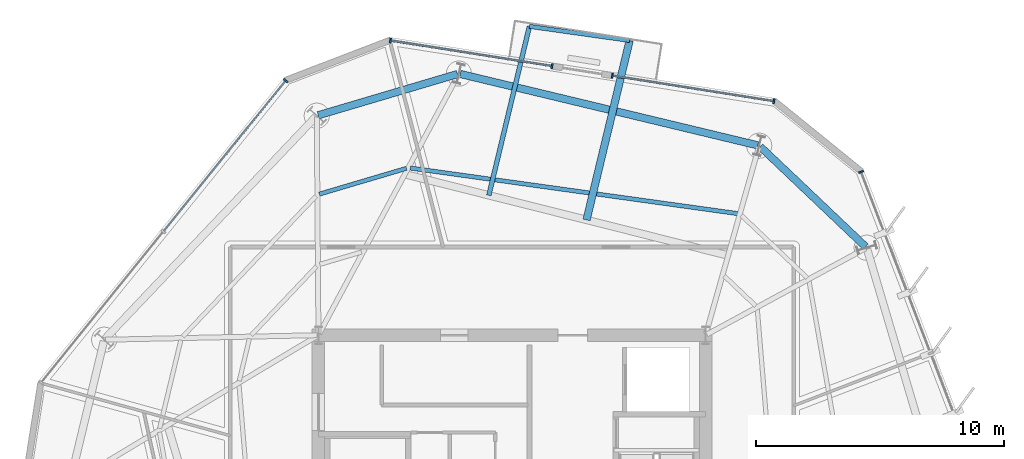
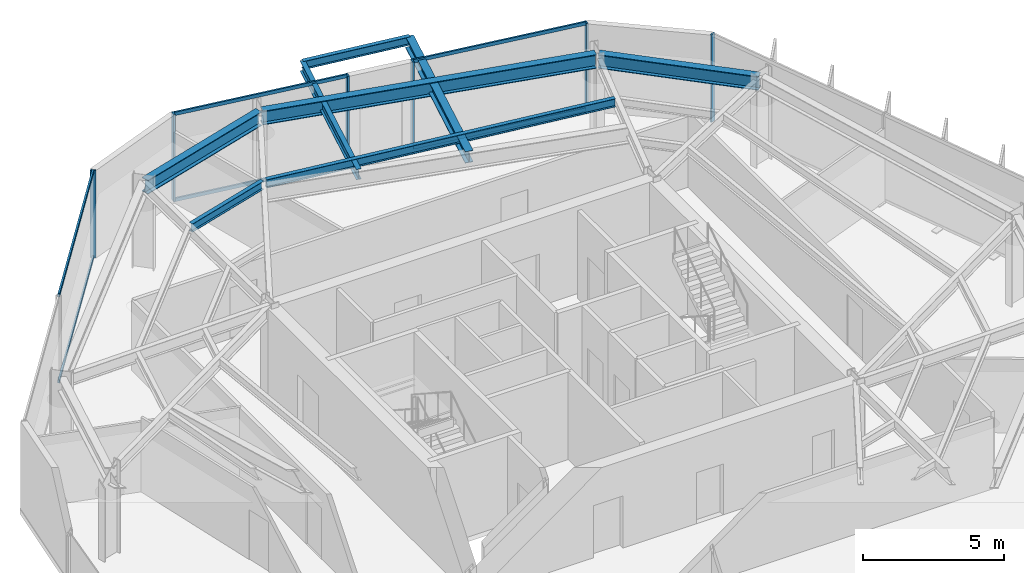
# One storey, part 5 of 11: 12 members, 8 beams, 4 elements without a shape of their own.
"""IFC4 building model written with IfcOpenShell, lengths in metres."""

import ifcopenshell
import ifcopenshell.guid

model = None  # the IFC model being written
_history = None  # IfcOwnerHistory: only IFC2X3 demands one
_inside = {}  # id of a spatial element -> (the spatial element, [elements in it])
_under = {}  # id of a project, library or spatial element -> (it, [spatial elements below it])
_declared = {}  # id of a project -> (the project, [libraries it declares])
_typed = {}  # id of a type object -> (the type object, [elements of that type])
_made_of = {}  # id of a material, layer set ... -> (it, [elements and type objects made of it])


def new_model(schema):
    """Start an empty IFC model of exactly this schema.

    Asked for "IFC4X3", IfcOpenShell would pick the latest addendum, in which some entities
    have other attributes; the version numbers below select the first issue.
    IFC2X3 requires an IfcOwnerHistory on every rooted entity: one is made here for all.
    """
    global model, _history
    if schema == "IFC4X3":
        model = ifcopenshell.file(schema_version=(4, 3, 0, 0))
    else:
        model = ifcopenshell.file(schema=schema)
    _inside.clear()
    _under.clear()
    _declared.clear()
    _typed.clear()
    _made_of.clear()
    _history = None
    if model.schema == "IFC2X3":
        org = make("IfcOrganization", Name="unknown")
        user = make(
            "IfcPersonAndOrganization",
            ThePerson=make("IfcPerson", FamilyName="unknown"),
            TheOrganization=org,
        )
        app = make(
            "IfcApplication",
            ApplicationDeveloper=org,
            Version="unknown",
            ApplicationFullName="unknown",
            ApplicationIdentifier="unknown",
        )
        _history = make(
            "IfcOwnerHistory",
            OwningUser=user,
            OwningApplication=app,
            ChangeAction="ADDED",
            CreationDate=0,
        )
    return model


def make(cls, **values):
    """One entity of the class cls with the attributes given. An attribute that is None is left unset."""
    return model.create_entity(
        cls, **{name: value for name, value in values.items() if value is not None}
    )


def rooted(cls, **values):
    """An entity with a GlobalId (a new one), such as an element, a storey or a relation."""
    return make(cls, GlobalId=ifcopenshell.guid.new(), OwnerHistory=_history, **values)


def si_unit(unit_type, name, prefix=None):
    """IfcSIUnit, for example si_unit("LENGTHUNIT", "METRE", prefix="MILLI")."""
    return make("IfcSIUnit", UnitType=unit_type, Prefix=prefix, Name=name)


def assignment(units):
    """IfcUnitAssignment: the units of a project."""
    return None if units is None else make("IfcUnitAssignment", Units=units)


def point(xyz):
    """IfcCartesianPoint."""
    return None if xyz is None else make("IfcCartesianPoint", Coordinates=xyz)


def direction(xyz):
    """IfcDirection."""
    return None if xyz is None else make("IfcDirection", DirectionRatios=xyz)


def frame(location, z_axis=None, x_axis=None):
    """IfcAxis2Placement3D, a coordinate frame: its origin and axes. An axis left out is left unset."""
    return make(
        "IfcAxis2Placement3D",
        Location=point(location),
        Axis=direction(z_axis),
        RefDirection=direction(x_axis),
    )


def frame_2d(location, x_axis=None):
    """IfcAxis2Placement2D, a coordinate frame in the plane: its origin and x axis."""
    return make(
        "IfcAxis2Placement2D", Location=point(location), RefDirection=direction(x_axis)
    )


def origin():
    """The frame at (0, 0, 0) with its axes left unset."""
    return frame((0.0, 0.0, 0.0))


def origin_2d():
    """The frame at (0, 0) in the plane with its x axis left unset."""
    return frame_2d((0.0, 0.0))


def place(relative_to, where):
    """IfcLocalPlacement: puts the frame where relative to a parent placement (None: the world)."""
    return make(
        "IfcLocalPlacement", PlacementRelTo=relative_to, RelativePlacement=where
    )


def context(
    kind, dimensions, precision=None, world=None, true_north=None, identifier=None
):
    """IfcGeometricRepresentationContext, for example the 3D "Model" context."""
    return make(
        "IfcGeometricRepresentationContext",
        ContextIdentifier=identifier,
        ContextType=kind,
        CoordinateSpaceDimension=dimensions,
        Precision=precision,
        WorldCoordinateSystem=world,
        TrueNorth=true_north,
    )


def subcontext(parent, identifier, kind, view, scale=None):
    """IfcGeometricRepresentationSubContext, for example "Body" below "Model"."""
    return make(
        "IfcGeometricRepresentationSubContext",
        ContextIdentifier=identifier,
        ContextType=kind,
        ParentContext=parent,
        TargetScale=scale,
        TargetView=view,
    )


def project(units=None, contexts=None):
    """IfcProject with its units and contexts."""
    return rooted(
        "IfcProject",
        Name="project",
        RepresentationContexts=contexts,
        UnitsInContext=assignment(units),
    )


def spatial(cls, under=None, at=None, **own):
    """A site, building, storey or space (cls), placed at a placement, below another one or the project."""
    s = rooted(cls, ObjectPlacement=at, **own)
    if under is not None:
        _under.setdefault(under.id(), (under, []))[1].append(s)
    return s


def profile(cls, at=None, kind="AREA", **sizes):
    """A parametric profile (cls). Its sizes go by their IFC names, for example OverallWidth=200.0."""
    return make(cls, ProfileType=kind, Position=at, **sizes)


def rectangle(**sizes):
    """IfcRectangleProfileDef."""
    return profile("IfcRectangleProfileDef", **sizes)


def i_section(**sizes):
    """IfcIShapeProfileDef."""
    return profile("IfcIShapeProfileDef", **sizes)


def extrude(swept, where, along, depth):
    """IfcExtrudedAreaSolid: the profile swept, set in the frame where, extruded along a direction by depth."""
    return make(
        "IfcExtrudedAreaSolid",
        SweptArea=swept,
        Position=where,
        ExtrudedDirection=direction(along),
        Depth=depth,
    )


def shape(context_of_items, identifier, shape_type, items):
    """IfcShapeRepresentation: the items that make up one representation, for example the "Body"."""
    return make(
        "IfcShapeRepresentation",
        ContextOfItems=context_of_items,
        RepresentationIdentifier=identifier,
        RepresentationType=shape_type,
        Items=items,
    )


def material(Name=None, Category=None):
    """IfcMaterial."""
    return make("IfcMaterial", Name=Name, Category=Category)


def layer(
    of_material, thickness, ventilated=None, Name=None, Category=None, Priority=None
):
    """IfcMaterialLayer: one layer of a wall or slab, of a material (None: an air gap)."""
    return make(
        "IfcMaterialLayer",
        Material=of_material,
        LayerThickness=thickness,
        IsVentilated=ventilated,
        Name=Name,
        Category=Category,
        Priority=Priority,
    )


def layer_set(layers, Name=None):
    """IfcMaterialLayerSet."""
    return make("IfcMaterialLayerSet", MaterialLayers=layers, LayerSetName=Name)


def material_profile(
    of_material, cross_section, Name=None, Category=None, Priority=None
):
    """IfcMaterialProfile: a cross section and its material."""
    return make(
        "IfcMaterialProfile",
        Name=Name,
        Material=of_material,
        Profile=cross_section,
        Priority=Priority,
        Category=Category,
    )


def profile_set(profiles, Name=None, composite=None):
    """IfcMaterialProfileSet."""
    return make(
        "IfcMaterialProfileSet",
        Name=Name,
        MaterialProfiles=profiles,
        CompositeProfile=composite,
    )


def made_of(thing, what):
    """Note that an element or type object is made of a material, layer set ...; save() writes the relation."""
    if what is not None:
        _made_of.setdefault(what.id(), (what, []))[1].append(thing)
    return thing


def type_object(cls, material=None, **own):
    """A type object (cls), such as IfcWallType, which elements share."""
    return made_of(rooted(cls, **own), material)


def element(
    cls,
    number,
    at=None,
    inside=None,
    cuts=None,
    type_object=None,
    material=None,
    context=None,
    identifier="Body",
    shape_type=None,
    held_by="IfcProductDefinitionShape",
    body=None,
    shapes=None,
    **own,
):
    """One element of the class cls, such as IfcWall. Its Tag is "e" and its number.

    at: its placement. inside: the storey or other place that contains it. cuts: it is an
    opening in that element (IfcRelVoidsElement). A single representation is given by context,
    identifier, shape_type and body (its items); several are given by shapes. held_by: the class
    of the entity that holds the representations. save() writes the other relations.
    """
    e = rooted(cls, Tag="e%d" % number, ObjectPlacement=at, **own)
    if body is not None:
        shapes = [shape(context, identifier, shape_type, body)]
    if shapes is not None:
        e.Representation = make(held_by, Representations=shapes)
    if inside is not None:
        _inside.setdefault(inside.id(), (inside, []))[1].append(e)
    if cuts is not None:
        rooted(
            "IfcRelVoidsElement", RelatingBuildingElement=cuts, RelatedOpeningElement=e
        )
    if type_object is not None:
        _typed.setdefault(type_object.id(), (type_object, []))[1].append(e)
    return made_of(e, material)


def aggregate(whole, parts):
    """IfcRelAggregates: a whole, such as a stair, and the parts it consists of."""
    return rooted("IfcRelAggregates", RelatingObject=whole, RelatedObjects=parts)


def save(model, path):
    """Write the relations noted so far, then the file.

    IfcRelAggregates (storeys below a building ...), IfcRelContainedInSpatialStructure (elements
    in a storey), IfcRelDefinesByType, IfcRelAssociatesMaterial and IfcRelDeclares: one each for
    every whole, place, type object, material and project.
    """
    for whole, parts in _under.values():
        aggregate(whole, parts)
    for where, things in _inside.values():
        rooted(
            "IfcRelContainedInSpatialStructure",
            RelatedElements=things,
            RelatingStructure=where,
        )
    for kind, things in _typed.values():
        rooted("IfcRelDefinesByType", RelatedObjects=things, RelatingType=kind)
    for what, things in _made_of.values():
        rooted("IfcRelAssociatesMaterial", RelatedObjects=things, RelatingMaterial=what)
    for by, libraries in _declared.values():
        rooted("IfcRelDeclares", RelatingContext=by, RelatedDefinitions=libraries)
    model.write(path)


model = new_model("IFC4")

# Units and contexts
model_context = context("Model", 3, precision=1e-05, world=origin(), true_north=direction((0.0, 1.0)))
body_context = subcontext(model_context, "Body", "Model", "MODEL_VIEW")
ifc_project = project(units=[si_unit("LENGTHUNIT", "METRE"), si_unit("AREAUNIT", "SQUARE_METRE"), si_unit("VOLUMEUNIT", "CUBIC_METRE"), si_unit("PLANEANGLEUNIT", "RADIAN"), si_unit("MASSUNIT", "GRAM", prefix="KILO")], contexts=[model_context])

# Site, building, storey
site_placement = place(None, origin())
site = spatial("IfcSite", under=ifc_project, at=site_placement, CompositionType="ELEMENT")
building_placement = place(site_placement, origin())
building = spatial("IfcBuilding", under=site, at=building_placement, Name="Kranzbogen Civic Tower", CompositionType="ELEMENT")
storey_placement = place(building_placement, frame((0.0, 0.0, 228.800048828125)))
storey = spatial("IfcBuildingStorey", under=building, at=storey_placement, Name="L55", CompositionType="ELEMENT", Elevation=228.800048828125)

# Beam
ifc_material_1 = material(Name="Steel S355", Category="steel")
ifc_material_profile_1 = material_profile(ifc_material_1, i_section(OverallWidth=0.18994140625, OverallDepth=0.449951171875, WebThickness=0.009521484375, FlangeThickness=0.0146484375, at=origin_2d()), Name="IPE 450")
ifc_profile_set_1 = profile_set([ifc_material_profile_1], Name="Steel S355")
beam_type_1 = type_object("IfcBeamType", Name="Braced Terrace Edge Beam IPE 450", PredefinedType="BEAM", material=ifc_profile_set_1)
beam_1_placement = place(storey_placement, frame((24.06689453125, 37.8359375, 3.52490234375), z_axis=(0.233416479687, 0.972376854419, 0.0), x_axis=(-0.972376854419, 0.233416479687, 0.0)))
element("IfcBeam", 1, at=beam_1_placement, inside=storey, type_object=beam_type_1, Name="L56 back-spanned terrace beam L56-TB1-2", PredefinedType="BEAM", context=body_context, shape_type="SweptSolid", body=[
    extrude(i_section(OverallWidth=0.18994140625, OverallDepth=0.449951171875, WebThickness=0.009521484375, FlangeThickness=0.0146484375, at=origin_2d()), origin(), (0.0, 0.0, 1.0), 7.00048828125),
])

# Curtain wall, members
ifc_material_2 = material(Name="Pale Anodised Aluminium", Category="aluminium")
ifc_layer = layer(ifc_material_2, 0.219970703125, Name="Pale Anodised Aluminium")
ifc_layer_set = layer_set([ifc_layer], Name="Pale Anodised Aluminium")
curtain_wall_type = type_object("IfcCurtainWallType", Name="Zone 3 Stick Curtain Wall System CW-04", PredefinedType="USERDEFINED", material=ifc_layer_set)
curtain_wall_1_placement = place(storey_placement, origin())
curtain_wall_1 = element("IfcCurtainWall", 2, at=curtain_wall_1_placement, inside=storey, type_object=curtain_wall_type, Name="L55 curtain wall CW-L55-F1-S1", ObjectType="STICK CURTAIN WALL", PredefinedType="USERDEFINED")
ifc_material_profile_2 = material_profile(ifc_material_2, rectangle(XDim=0.070068359375, YDim=0.199951171875, at=origin_2d()), Name="ALU-M 70x200")
ifc_profile_set_2 = profile_set([ifc_material_profile_2], Name="Pale Anodised Aluminium")
member_type_1 = type_object("IfcMemberType", Name="Curtain Wall Mullion ALU-M 70x200", PredefinedType="MULLION", material=ifc_profile_set_2)
member_1_placement = place(storey_placement, frame((35.554443359375, 41.625732421875, 0.0), z_axis=(0.0, 0.0, 1.0), x_axis=(-0.987709289801, 0.156302139592, 0.0)))
member_1 = element("IfcMember", 3, at=member_1_placement, type_object=member_type_1, Name="CW-04 mullion 1", PredefinedType="MULLION", context=body_context, shape_type="SweptSolid", body=[
    extrude(rectangle(XDim=0.070068359375, YDim=0.199951171875, at=origin_2d()), origin(), (0.0, 0.0, 1.0), 3.780029296875),
])
member_2_placement = place(storey_placement, frame((29.041748046875, 42.65625, 0.0), z_axis=(0.0, 0.0, 1.0), x_axis=(-0.987709289801, 0.156302139592, 0.0)))
member_2 = element("IfcMember", 4, at=member_2_placement, type_object=member_type_1, Name="CW-04 mullion 2", PredefinedType="MULLION", context=body_context, shape_type="SweptSolid", body=[
    extrude(rectangle(XDim=0.070068359375, YDim=0.199951171875, at=origin_2d()), origin(), (0.0, 0.0, 1.0), 3.780029296875),
])

curtain_wall_2_placement = place(storey_placement, origin())
curtain_wall_2 = element("IfcCurtainWall", 5, at=curtain_wall_2_placement, inside=storey, type_object=curtain_wall_type, Name="L55 curtain wall CW-L55-F1-S2", ObjectType="STICK CURTAIN WALL", PredefinedType="USERDEFINED")
member_3_placement = place(storey_placement, frame((26.6123046875, 43.041748046875, 0.0), z_axis=(0.0, 0.0, 1.0), x_axis=(-0.987709289801, 0.156302139592, 0.0)))
member_3 = element("IfcMember", 6, at=member_3_placement, type_object=member_type_1, Name="CW-04 mullion 1", PredefinedType="MULLION", context=body_context, shape_type="SweptSolid", body=[
    extrude(rectangle(XDim=0.070068359375, YDim=0.199951171875, at=origin_2d()), origin(), (0.0, 0.0, 1.0), 3.780029296875),
])
member_4_placement = place(storey_placement, frame((20.099609375, 44.072265625, 0.0), z_axis=(0.0, 0.0, 1.0), x_axis=(-0.987709289801, 0.156302139592, 0.0)))
member_4 = element("IfcMember", 7, at=member_4_placement, type_object=member_type_1, Name="CW-04 mullion 2", PredefinedType="MULLION", context=body_context, shape_type="SweptSolid", body=[
    extrude(rectangle(XDim=0.070068359375, YDim=0.199951171875, at=origin_2d()), origin(), (0.0, 0.0, 1.0), 3.780029296875),
])

# Curtain wall, member
curtain_wall_3_placement = place(storey_placement, origin())
curtain_wall_3 = element("IfcCurtainWall", 8, at=curtain_wall_3_placement, inside=storey, type_object=curtain_wall_type, Name="L55 curtain wall CW-L55-F2", ObjectType="STICK CURTAIN WALL", PredefinedType="USERDEFINED")
member_5_placement = place(storey_placement, frame((15.880126953125, 42.45361328125, 0.0), z_axis=(0.0, 0.0, 1.0), x_axis=(-0.629357543601, -0.777115874444, 0.0)))
member_5 = element("IfcMember", 9, at=member_5_placement, type_object=member_type_1, Name="CW-04 mullion 1", PredefinedType="MULLION", context=body_context, shape_type="SweptSolid", body=[
    extrude(rectangle(XDim=0.070068359375, YDim=0.199951171875, at=origin_2d()), origin(), (0.0, 0.0, 1.0), 3.780029296875),
])

curtain_wall_4_placement = place(storey_placement, origin())
curtain_wall_4 = element("IfcCurtainWall", 10, at=curtain_wall_4_placement, inside=storey, type_object=curtain_wall_type, Name="L55 curtain wall CW-L55-F6", ObjectType="STICK CURTAIN WALL", PredefinedType="USERDEFINED")
member_6_placement = place(storey_placement, frame((39.06787109375, 38.781005859375, 0.0), z_axis=(0.0, 0.0, 1.0), x_axis=(-0.3583476378, 0.933588223192, 0.0)))
member_6 = element("IfcMember", 11, at=member_6_placement, type_object=member_type_1, Name="CW-04 mullion 3", PredefinedType="MULLION", context=body_context, shape_type="SweptSolid", body=[
    extrude(rectangle(XDim=0.070068359375, YDim=0.199951171875, at=origin_2d()), origin(), (0.0, 0.0, 1.0), 3.780029296875),
])
aggregate(curtain_wall_4, [member_6])

# Member
ifc_material_profile_3 = material_profile(ifc_material_2, rectangle(XDim=0.070068359375, YDim=0.14990234375, at=origin_2d()), Name="ALU-T 70x150")
ifc_profile_set_3 = profile_set([ifc_material_profile_3], Name="Pale Anodised Aluminium")
member_type_2 = type_object("IfcMemberType", Name="Curtain Wall Transom ALU-T 70x150", PredefinedType="USERDEFINED", material=ifc_profile_set_3)
member_7_placement = place(storey_placement, frame((35.524658203125, 41.63037109375, 0.030029296875), z_axis=(-0.987708977314, 0.156304114255, 0.0), x_axis=(-0.156304114255, -0.987708977314, 0.0)))
member_7 = element("IfcMember", 12, at=member_7_placement, type_object=member_type_2, Name="CW-04 transom 1.1", ObjectType="TRANSOM", PredefinedType="USERDEFINED", context=body_context, shape_type="SweptSolid", body=[
    extrude(rectangle(XDim=0.070068359375, YDim=0.14990234375, at=origin_2d()), origin(), (0.0, 0.0, 1.0), 6.53369140625),
])

member_8_placement = place(storey_placement, frame((35.524658203125, 41.63037109375, 3.75), z_axis=(-0.987708977314, 0.156304114255, 0.0), x_axis=(-0.156304114255, -0.987708977314, 0.0)))
member_8 = element("IfcMember", 13, at=member_8_placement, type_object=member_type_2, Name="CW-04 transom 1.2", ObjectType="TRANSOM", PredefinedType="USERDEFINED", context=body_context, shape_type="SweptSolid", body=[
    extrude(rectangle(XDim=0.070068359375, YDim=0.14990234375, at=origin_2d()), origin(), (0.0, 0.0, 1.0), 6.53369140625),
])

aggregate(curtain_wall_1, [member_1, member_2, member_7, member_8])

member_9_placement = place(storey_placement, frame((26.582763671875, 43.04638671875, 0.030029296875), z_axis=(-0.987709890164, 0.156298345712, 0.0), x_axis=(-0.156298345712, -0.987709890164, 0.0)))
member_9 = element("IfcMember", 14, at=member_9_placement, type_object=member_type_2, Name="CW-04 transom 1.1", ObjectType="TRANSOM", PredefinedType="USERDEFINED", context=body_context, shape_type="SweptSolid", body=[
    extrude(rectangle(XDim=0.070068359375, YDim=0.14990234375, at=origin_2d()), origin(), (0.0, 0.0, 1.0), 6.533935546875),
])

member_10_placement = place(storey_placement, frame((26.582763671875, 43.04638671875, 3.75), z_axis=(-0.987709890164, 0.156298345712, 0.0), x_axis=(-0.156298345712, -0.987709890164, 0.0)))
member_10 = element("IfcMember", 15, at=member_10_placement, type_object=member_type_2, Name="CW-04 transom 1.2", ObjectType="TRANSOM", PredefinedType="USERDEFINED", context=body_context, shape_type="SweptSolid", body=[
    extrude(rectangle(XDim=0.070068359375, YDim=0.14990234375, at=origin_2d()), origin(), (0.0, 0.0, 1.0), 6.533935546875),
])

aggregate(curtain_wall_2, [member_3, member_4, member_9, member_10])

member_11_placement = place(storey_placement, frame((15.861328125, 42.430419921875, 0.030029296875), z_axis=(-0.62935832297, -0.777115243261, 0.0), x_axis=(0.777115243261, -0.62935832297, 0.0)))
member_11 = element("IfcMember", 16, at=member_11_placement, type_object=member_type_2, Name="CW-04 transom 1.1", ObjectType="TRANSOM", PredefinedType="USERDEFINED", context=body_context, shape_type="SweptSolid", body=[
    extrude(rectangle(XDim=0.070068359375, YDim=0.14990234375, at=origin_2d()), origin(), (0.0, 0.0, 1.0), 7.76416015625),
])

member_12_placement = place(storey_placement, frame((15.861328125, 42.430419921875, 3.75), z_axis=(-0.62935832297, -0.777115243261, 0.0), x_axis=(0.777115243261, -0.62935832297, 0.0)))
member_12 = element("IfcMember", 17, at=member_12_placement, type_object=member_type_2, Name="CW-04 transom 1.2", ObjectType="TRANSOM", PredefinedType="USERDEFINED", context=body_context, shape_type="SweptSolid", body=[
    extrude(rectangle(XDim=0.070068359375, YDim=0.14990234375, at=origin_2d()), origin(), (0.0, 0.0, 1.0), 7.76416015625),
])

aggregate(curtain_wall_3, [member_5, member_11, member_12])

# Beams
ifc_material_profile_4 = material_profile(ifc_material_1, i_section(OverallWidth=0.300048828125, OverallDepth=0.5, WebThickness=0.014404296875, FlangeThickness=0.028076171875, at=origin_2d()), Name="HEB 500")
ifc_profile_set_4 = profile_set([ifc_material_profile_4], Name="Steel S355")
beam_type_2 = type_object("IfcBeamType", Name="Perimeter Tube Spandrel Beam HEB 500", PredefinedType="SPANDREL", material=ifc_profile_set_4)
beam_2_placement = place(storey_placement, frame((28.0048828125, 36.843994140625, 3.5), z_axis=(0.233456144851, 0.972367332047, 0.0), x_axis=(-0.972367332047, 0.233456144851, 0.0)))
element("IfcBeam", 18, at=beam_2_placement, inside=storey, type_object=beam_type_2, Name="L56 back-spanned terrace beam L56-TB1-1", PredefinedType="SPANDREL", context=body_context, shape_type="SweptSolid", body=[
    extrude(i_section(OverallWidth=0.300048828125, OverallDepth=0.5, WebThickness=0.014404296875, FlangeThickness=0.028076171875, at=origin_2d()), origin(), (0.0, 0.0, 1.0), 7.4365234375),
])
ifc_material_profile_5 = material_profile(ifc_material_1, i_section(OverallWidth=0.300048828125, OverallDepth=0.60009765625, WebThickness=0.015380859375, FlangeThickness=0.030029296875, at=origin_2d()), Name="HEB 600")
ifc_profile_set_5 = profile_set([ifc_material_profile_5], Name="Steel S355")
beam_type_3 = type_object("IfcBeamType", Name="Perimeter Tube Spandrel Beam HEB 600", PredefinedType="SPANDREL", material=ifc_profile_set_5)
beam_3_placement = place(storey_placement, frame((39.2490234375, 35.764892578125, 3.47998046875), z_axis=(-0.725245206788, 0.688490660816, 0.0), x_axis=(-0.688490660816, -0.725245206788, 0.0)))
element("IfcBeam", 19, at=beam_3_placement, inside=storey, type_object=beam_type_3, Name="L55 perimeter spandrel beam 07", PredefinedType="SPANDREL", context=body_context, shape_type="SweptSolid", body=[
    extrude(i_section(OverallWidth=0.300048828125, OverallDepth=0.60009765625, WebThickness=0.015380859375, FlangeThickness=0.030029296875, at=origin_2d()), origin(), (0.0, 0.0, 1.0), 5.85205078125),
])
beam_4_placement = place(storey_placement, frame((34.903076171875, 39.84912109375, 3.47998046875), z_axis=(-0.972377592092, 0.233413406637, 0.0), x_axis=(-0.233413406637, -0.972377592092, 0.0)))
element("IfcBeam", 20, at=beam_4_placement, inside=storey, type_object=beam_type_3, Name="L55 perimeter spandrel beam 08", PredefinedType="SPANDREL", context=body_context, shape_type="SweptSolid", body=[
    extrude(i_section(OverallWidth=0.300048828125, OverallDepth=0.60009765625, WebThickness=0.015380859375, FlangeThickness=0.030029296875, at=origin_2d()), origin(), (0.0, 0.0, 1.0), 12.32568359375),
])
beam_5_placement = place(storey_placement, frame((22.802001953125, 42.722900390625, 3.47998046875), z_axis=(-0.9588296723, -0.283981794341, 0.0), x_axis=(0.283981794341, -0.9588296723, 0.0)))
element("IfcBeam", 21, at=beam_5_placement, inside=storey, type_object=beam_type_3, Name="L55 perimeter spandrel beam 09", PredefinedType="SPANDREL", context=body_context, shape_type="SweptSolid", body=[
    extrude(i_section(OverallWidth=0.300048828125, OverallDepth=0.60009765625, WebThickness=0.015380859375, FlangeThickness=0.030029296875, at=origin_2d()), origin(), (0.0, 0.0, 1.0), 5.85205078125),
])
ifc_material_profile_6 = material_profile(ifc_material_1, i_section(OverallWidth=0.169921875, OverallDepth=0.360107421875, WebThickness=0.008056640625, FlangeThickness=0.0126953125, at=origin_2d()), Name="IPE 360")
ifc_profile_set_6 = profile_set([ifc_material_profile_6], Name="Steel S355")
beam_type_4 = type_object("IfcBeamType", Name="Secondary Composite Floor Joist IPE 360", PredefinedType="JOIST", material=ifc_profile_set_6)
beam_6_placement = place(storey_placement, frame((34.10400390625, 37.096923828125, 3.599853515625), z_axis=(-0.990445837232, 0.137902296968, 0.0), x_axis=(-0.137902296968, -0.990445837232, 0.0)))
element("IfcBeam", 22, at=beam_6_placement, inside=storey, type_object=beam_type_4, Name="L55 secondary floor joist 1.08", PredefinedType="JOIST", context=body_context, shape_type="SweptSolid", body=[
    extrude(i_section(OverallWidth=0.169921875, OverallDepth=0.360107421875, WebThickness=0.008056640625, FlangeThickness=0.0126953125, at=origin_2d()), origin(), (0.0, 0.0, 1.0), 13.329345703125),
])
beam_7_placement = place(storey_placement, frame((20.74609375, 38.923095703125, 3.599853515625), z_axis=(-0.958843823165, -0.283934011309, 0.0), x_axis=(0.283934011309, -0.958843823165, 0.0)))
element("IfcBeam", 23, at=beam_7_placement, inside=storey, type_object=beam_type_4, Name="L55 secondary floor joist 1.09", PredefinedType="JOIST", context=body_context, shape_type="SweptSolid", body=[
    extrude(i_section(OverallWidth=0.169921875, OverallDepth=0.360107421875, WebThickness=0.008056640625, FlangeThickness=0.0126953125, at=origin_2d()), origin(), (0.0, 0.0, 1.0), 3.662841796875),
])
beam_8_placement = place(storey_placement, frame((29.740966796875, 44.074951171875, 3.570068359375), z_axis=(-0.990257094583, 0.139251163832, 0.0), x_axis=(-0.139251163832, -0.990257094583, 0.0)))
element("IfcBeam", 24, at=beam_8_placement, inside=storey, type_object=beam_type_4, Name="L56 terrace outer edge trimmer L56-TB1", PredefinedType="JOIST", context=body_context, shape_type="SweptSolid", body=[
    extrude(i_section(OverallWidth=0.169921875, OverallDepth=0.360107421875, WebThickness=0.008056640625, FlangeThickness=0.0126953125, at=origin_2d()), origin(), (0.0, 0.0, 1.0), 4.079833984375),
])

save(model, "model.ifc")
